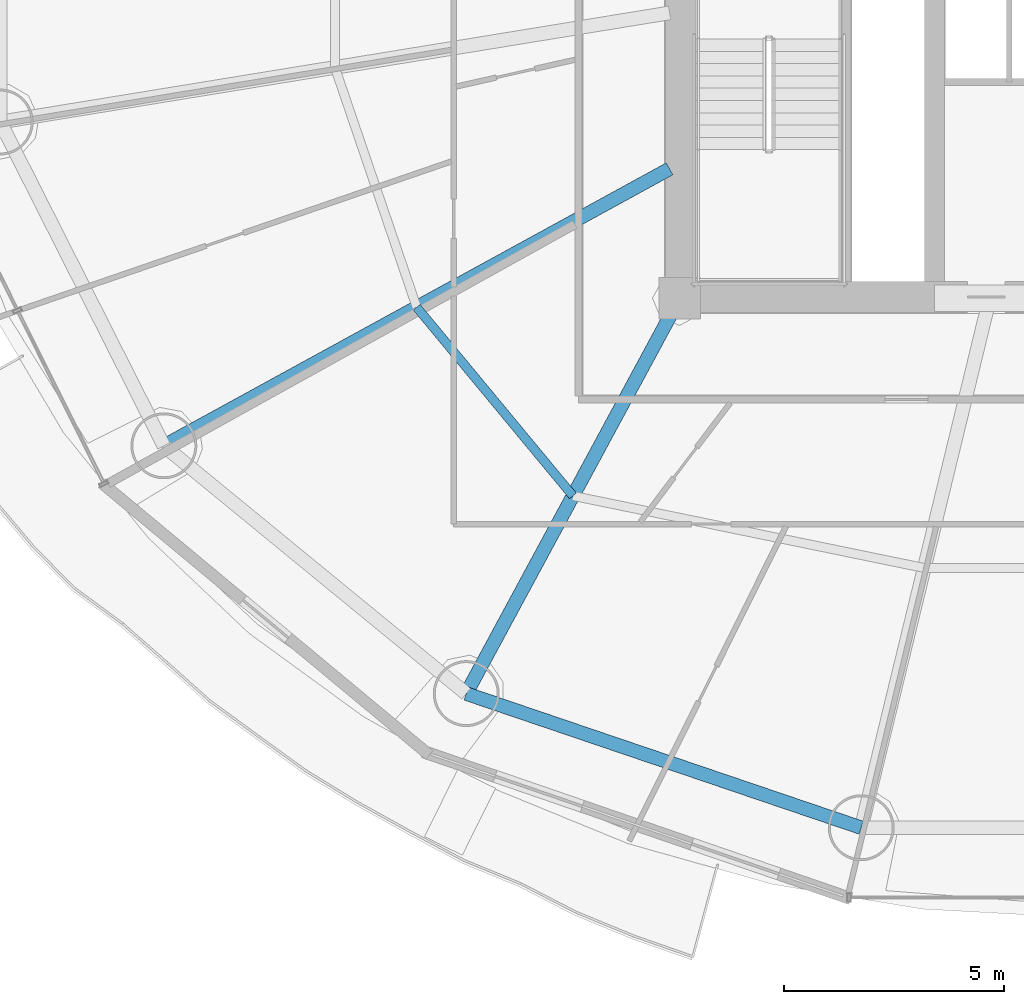
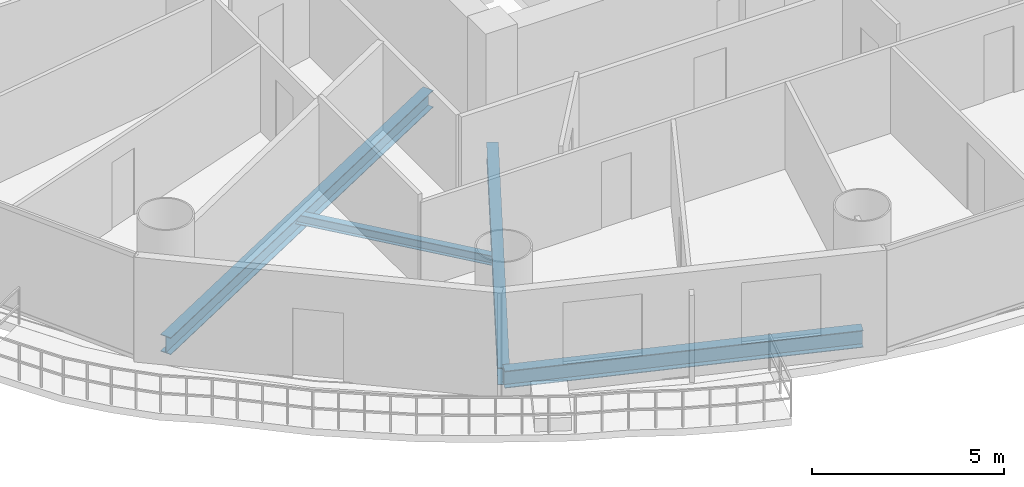
# One storey, part 3 of 28: 4 beams.
"""IFC4 building model written with IfcOpenShell, lengths in metres."""

from ifc_helpers import new_model, si_unit, direction, frame, origin, origin_2d, place, context, subcontext, project, spatial, i_section, extrude, material, material_profile, profile_set, type_object, element, save


model = new_model("IFC4")

# Units and contexts
model_context = context("Model", 3, precision=1e-05, world=origin(), true_north=direction((-0.2419218956, 0.970295726276)))
body_context = subcontext(model_context, "Body", "Model", "MODEL_VIEW")
ifc_project = project(units=[si_unit("LENGTHUNIT", "METRE"), si_unit("AREAUNIT", "SQUARE_METRE"), si_unit("VOLUMEUNIT", "CUBIC_METRE"), si_unit("PLANEANGLEUNIT", "RADIAN"), si_unit("MASSUNIT", "GRAM", prefix="KILO")], contexts=[model_context])

# Site, building, storey
site_placement = place(None, origin())
site = spatial("IfcSite", under=ifc_project, at=site_placement, CompositionType="ELEMENT")
building_placement = place(site_placement, origin())
building = spatial("IfcBuilding", under=site, at=building_placement, Name="Cobrevalo Terracotta Tower", CompositionType="ELEMENT")
storey_placement = place(building_placement, frame((0.0, 0.0, 101.39990234375)))
storey = spatial("IfcBuildingStorey", under=building, at=storey_placement, Name="L26", CompositionType="ELEMENT", Elevation=101.39990234375)

# Beams
ifc_material = material(Name="Steel S355", Category="steel")
ifc_material_profile_1 = material_profile(ifc_material, i_section(OverallWidth=0.31201171875, OverallDepth=0.54296875, WebThickness=0.0126953125, FlangeThickness=0.020263671875, at=origin_2d()), Name="W 530x150")
ifc_profile_set_1 = profile_set([ifc_material_profile_1], Name="Steel S355")
beam_type_1 = type_object("IfcBeamType", Name="Structural Beam W 530x150 (Steel S355)", PredefinedType="BEAM", material=ifc_profile_set_1)
beam_1_placement = place(storey_placement, frame((17.2548828125, 15.4384765625, -0.54638671875), z_axis=(0.877072765004, 0.480357538599, 0.0), x_axis=(-0.480357538599, 0.877072765004, 0.0)))
element("IfcBeam", 1, at=beam_1_placement, inside=storey, type_object=beam_type_1, Name="L26 radial floor girder 10", PredefinedType="BEAM", context=body_context, shape_type="SweptSolid", body=[
    extrude(i_section(OverallWidth=0.31201171875, OverallDepth=0.54296875, WebThickness=0.0126953125, FlangeThickness=0.020263671875, at=origin_2d()), origin(), (0.0, 0.0, 1.0), 13.129150390625),
])
beam_2_placement = place(storey_placement, frame((24.138427734375, 9.79638671875, -0.54638671875), z_axis=(0.475118249298, 0.879921956303, 0.0), x_axis=(-0.879921956303, 0.475118249298, 0.0)))
element("IfcBeam", 2, at=beam_2_placement, inside=storey, type_object=beam_type_1, Name="L26 radial floor girder 11", PredefinedType="BEAM", context=body_context, shape_type="SweptSolid", body=[
    extrude(i_section(OverallWidth=0.31201171875, OverallDepth=0.54296875, WebThickness=0.0126953125, FlangeThickness=0.020263671875, at=origin_2d()), origin(), (0.0, 0.0, 1.0), 10.232421875),
])
ifc_material_profile_2 = material_profile(ifc_material, i_section(OverallWidth=0.2041015625, OverallDepth=0.305908203125, WebThickness=0.008544921875, FlangeThickness=0.0146484375, at=origin_2d()), Name="W 310x67")
ifc_profile_set_2 = profile_set([ifc_material_profile_2], Name="Steel S355")
beam_type_2 = type_object("IfcBeamType", Name="Structural Joist W 310x67 (Steel S355)", PredefinedType="JOIST", material=ifc_profile_set_2)
beam_3_placement = place(storey_placement, frame((23.012451171875, 18.591796875, -0.427978515625), z_axis=(0.6379592588, -0.77007011636, 0.0), x_axis=(0.77007011636, 0.6379592588, 0.0)))
element("IfcBeam", 3, at=beam_3_placement, inside=storey, type_object=beam_type_2, Name="L26 circumferential secondary floor joist 10", PredefinedType="JOIST", context=body_context, shape_type="SweptSolid", body=[
    extrude(i_section(OverallWidth=0.2041015625, OverallDepth=0.305908203125, WebThickness=0.008544921875, FlangeThickness=0.0146484375, at=origin_2d()), origin(), (0.0, 0.0, 1.0), 5.575439453125),
])
ifc_material_profile_3 = material_profile(ifc_material, i_section(OverallWidth=0.31201171875, OverallDepth=0.54296875, WebThickness=0.0126953125, FlangeThickness=0.020263671875, at=origin_2d()), Name="W 530x150")
ifc_profile_set_3 = profile_set([ifc_material_profile_3], Name="Steel S355")
beam_type_3 = type_object("IfcBeamType", Name="Structural Spandrel W 530x150 (Steel S355)", PredefinedType="SPANDREL", material=ifc_profile_set_3)
beam_4_placement = place(storey_placement, frame((24.138427734375, 9.79638671875, -0.54638671875), z_axis=(0.94691835344, -0.321474154356, 0.0), x_axis=(0.321474154356, 0.94691835344, 0.0)))
element("IfcBeam", 4, at=beam_4_placement, inside=storey, type_object=beam_type_3, Name="L26 perimeter ring spandrel 11", PredefinedType="SPANDREL", context=body_context, shape_type="SweptSolid", body=[
    extrude(i_section(OverallWidth=0.31201171875, OverallDepth=0.54296875, WebThickness=0.0126953125, FlangeThickness=0.020263671875, at=origin_2d()), origin(), (0.0, 0.0, 1.0), 9.498291015625),
])

save(model, "model.ifc")
